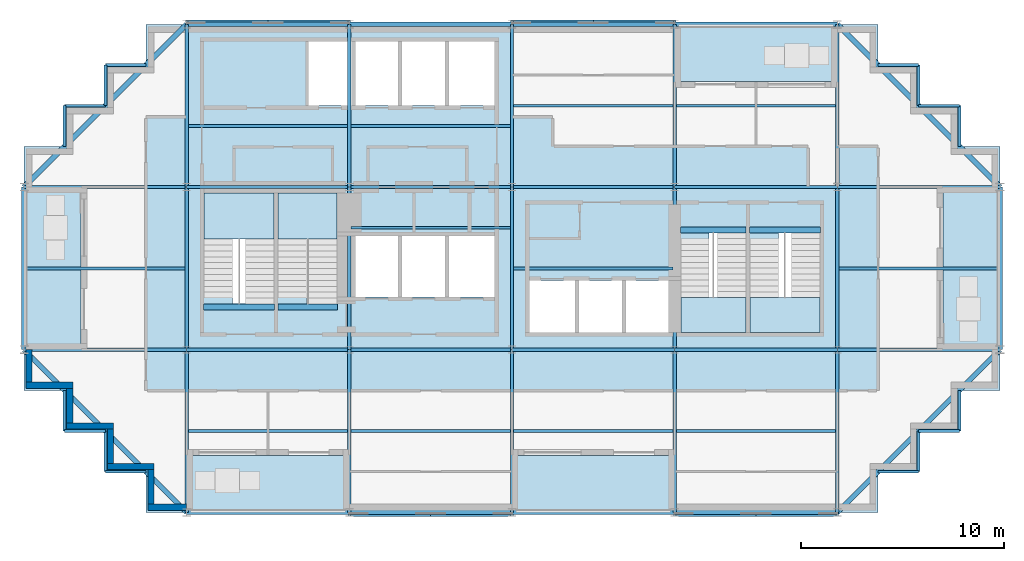
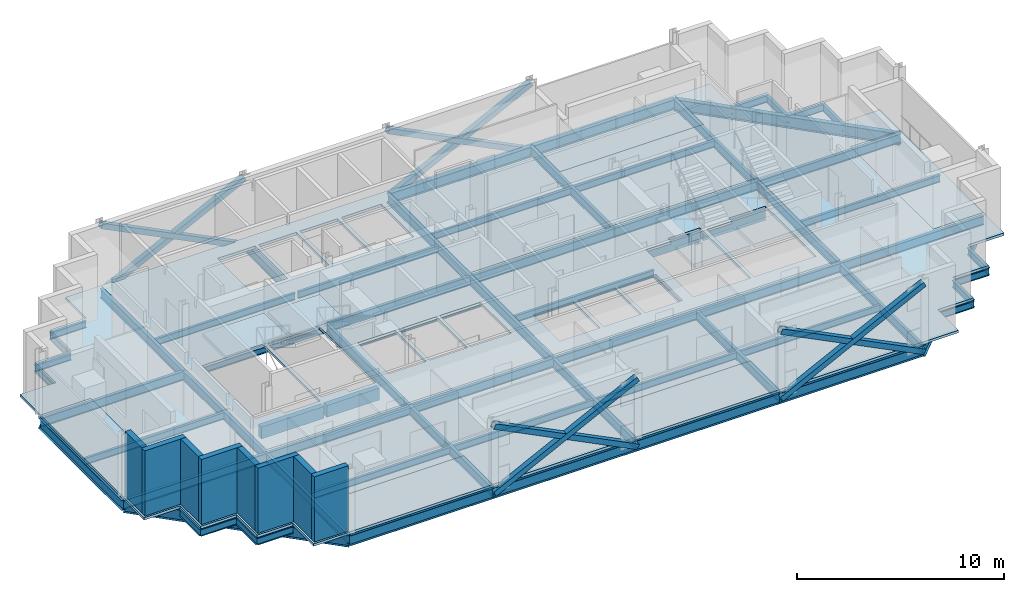
# One storey, part 3 of 10: 73 beams, 12 slabs, 8 members, 8 walls, 4 elements without a shape of their own.
"""IFC4 building model written with IfcOpenShell, lengths in metres."""

from ifc_helpers import new_model, si_unit, direction, frame, frame_2d, origin, origin_2d, place, context, subcontext, project, spatial, polyline, rectangle, hollow_rectangle, i_section, outline, extrude, material, layer, layer_set, material_profile, profile_set, type_object, element, aggregate, save


model = new_model("IFC4")

# Units and contexts
model_context = context("Model", 3, precision=1e-05, world=origin(), true_north=direction((0.0, 1.0)))
body_context = subcontext(model_context, "Body", "Model", "MODEL_VIEW")
ifc_project = project(units=[si_unit("LENGTHUNIT", "METRE"), si_unit("AREAUNIT", "SQUARE_METRE"), si_unit("VOLUMEUNIT", "CUBIC_METRE"), si_unit("PLANEANGLEUNIT", "RADIAN"), si_unit("MASSUNIT", "GRAM", prefix="KILO")], contexts=[model_context])

# Site, building, storey
site_placement = place(None, origin())
site = spatial("IfcSite", under=ifc_project, at=site_placement, CompositionType="ELEMENT")
building_placement = place(site_placement, origin())
building = spatial("IfcBuilding", under=site, at=building_placement, Name="Immortelle Media Tower", CompositionType="ELEMENT")
storey_placement = place(building_placement, frame((0.0, 0.0, 259.0)))
storey = spatial("IfcBuildingStorey", under=building, at=storey_placement, Name="L56", CompositionType="ELEMENT", Elevation=259.0)

# Members
ifc_material_1 = material(Name="Steel ASTM A500 Gr C", Category="steel")
ifc_material_profile_1 = material_profile(ifc_material_1, hollow_rectangle(XDim=0.304931640625, YDim=0.304931640625, WallThickness=0.011962890625, at=origin_2d()), Name="HSS12x12x1/2 brace")
ifc_profile_set_1 = profile_set([ifc_material_profile_1], Name="Steel ASTM A500 Gr C")
member_type = type_object("IfcMemberType", Name="HSS12x12x1/2 brace", PredefinedType="BRACE", material=ifc_profile_set_1)
for number, where, z_axis, x_axis, name in (
    (1, (16.0, -0.0625, -0.4560546875), (0.894427191, 0.0, 0.4472135955), (0.0, 1.0, 0.0), "Brace A/3-4 A"),
    (2, (16.0, -0.0625, 3.5439453125), (0.894427191, 0.0, -0.4472135955), (0.0, 1.0, 0.0), "Brace A/3-4 B"),
    (3, (32.0, -0.0625, -0.4560546875), (0.894427191, 0.0, 0.4472135955), (0.0, 1.0, 0.0), "Brace A/5-6 A"),
    (4, (32.0, -0.0625, 3.5439453125), (0.894427191, 0.0, -0.4472135955), (0.0, 1.0, 0.0), "Brace A/5-6 B"),
    (5, (32.0, 24.0625, -0.4560546875), (-0.894427191, 0.0, 0.4472135955), (0.0, -1.0, 0.0), "Brace D/4-5 A"),
    (6, (32.0, 24.0625, 3.5439453125), (-0.894427191, 0.0, -0.4472135955), (0.0, -1.0, 0.0), "Brace D/4-5 B"),
    (7, (16.0, 24.0625, -0.4560546875), (-0.894427191, 0.0, 0.4472135955), (0.0, -1.0, 0.0), "Brace D/2-3 A"),
    (8, (16.0, 24.0625, 3.5439453125), (-0.894427191, 0.0, -0.4472135955), (0.0, -1.0, 0.0), "Brace D/2-3 B"),
):
    element("IfcMember", number, at=place(storey_placement, frame(where, z_axis=z_axis, x_axis=x_axis)), inside=storey, type_object=member_type, Name=name, PredefinedType="BRACE", context=body_context, shape_type="SweptSolid", body=[
        extrude(hollow_rectangle(XDim=0.304931640625, YDim=0.304931640625, WallThickness=0.011962890625, at=origin_2d()), origin(), (0.0, 0.0, 1.0), 8.9443359375),
    ])

# Beams
ifc_material_2 = material(Name="Concrete C50/60", Category="concrete")
ifc_material_profile_2 = material_profile(ifc_material_2, rectangle(XDim=0.300048828125, YDim=0.699951171875, at=origin_2d()), Name="RC 300x700")
ifc_profile_set_2 = profile_set([ifc_material_profile_2], Name="Concrete C50/60")
beam_type_1 = type_object("IfcBeamType", Name="Stair trimmer beam 300 x 700", PredefinedType="BEAM", material=ifc_profile_set_2)
beam_1_placement = place(storey_placement, frame((8.830078125, 10.10498046875, -0.5), z_axis=(1.0, 0.0, 0.0), x_axis=(0.0, 1.0, 0.0)))
element("IfcBeam", 9, at=beam_1_placement, inside=storey, type_object=beam_type_1, Name="Stair trimmer beam SW1", PredefinedType="BEAM", context=body_context, shape_type="SweptSolid", body=[
    extrude(rectangle(XDim=0.300048828125, YDim=0.699951171875, at=origin_2d()), origin(), (0.0, 0.0, 1.0), 3.489990234375),
])
beam_2_placement = place(storey_placement, frame((12.47998046875, 10.10498046875, -0.5), z_axis=(1.0, 0.0, 0.0), x_axis=(0.0, 1.0, 0.0)))
element("IfcBeam", 10, at=beam_2_placement, inside=storey, type_object=beam_type_1, Name="Stair trimmer beam SW2", PredefinedType="BEAM", context=body_context, shape_type="SweptSolid", body=[
    extrude(rectangle(XDim=0.300048828125, YDim=0.699951171875, at=origin_2d()), origin(), (0.0, 0.0, 1.0), 2.93994140625),
])
beam_3_placement = place(storey_placement, frame((32.280029296875, 13.89501953125, -0.5), z_axis=(1.0, 0.0, 0.0), x_axis=(0.0, 1.0, 0.0)))
element("IfcBeam", 11, at=beam_3_placement, inside=storey, type_object=beam_type_1, Name="Stair trimmer beam SE1", PredefinedType="BEAM", context=body_context, shape_type="SweptSolid", body=[
    extrude(rectangle(XDim=0.300048828125, YDim=0.699951171875, at=origin_2d()), origin(), (0.0, 0.0, 1.0), 3.239990234375),
])
beam_4_placement = place(storey_placement, frame((35.679931640625, 13.89501953125, -0.5), z_axis=(1.0, 0.0, 0.0), x_axis=(0.0, 1.0, 0.0)))
element("IfcBeam", 12, at=beam_4_placement, inside=storey, type_object=beam_type_1, Name="Stair trimmer beam SE2", PredefinedType="BEAM", context=body_context, shape_type="SweptSolid", body=[
    extrude(rectangle(XDim=0.300048828125, YDim=0.699951171875, at=origin_2d()), origin(), (0.0, 0.0, 1.0), 3.489990234375),
])
ifc_material_3 = material(Name="Steel ASTM A992 Gr 50", Category="steel")
ifc_material_profile_3 = material_profile(ifc_material_3, i_section(OverallWidth=0.139892578125, OverallDepth=0.404052734375, WebThickness=0.007080078125, FlangeThickness=0.010986328125, at=origin_2d()), Name="W16x31")
ifc_profile_set_3 = profile_set([ifc_material_profile_3], Name="Steel ASTM A992 Gr 50")
beam_type_2 = type_object("IfcBeamType", Name="W16x31 secondary beam", PredefinedType="JOIST", material=ifc_profile_set_3)
for number, where, z_axis, x_axis, name in (
    (13, (8.08349609375, 4.0, -0.35205078125), (1.0, 0.0, 0.0), (0.0, 1.0, 0.0), "Beam A-B/2-3"),
    (14, (16.08349609375, 4.0, -0.35205078125), (1.0, 0.0, 0.0), (0.0, 1.0, 0.0), "Beam A-B/3-4"),
    (15, (24.08349609375, 4.0, -0.35205078125), (1.0, 0.0, 0.0), (0.0, 1.0, 0.0), "Beam A-B/4-5"),
    (16, (32.08349609375, 4.0, -0.35205078125), (1.0, 0.0, 0.0), (0.0, 1.0, 0.0), "Beam A-B/5-6"),
):
    element("IfcBeam", number, at=place(storey_placement, frame(where, z_axis=z_axis, x_axis=x_axis)), inside=storey, type_object=beam_type_2, Name=name, PredefinedType="JOIST", context=body_context, shape_type="SweptSolid", body=[
        extrude(i_section(OverallWidth=0.139892578125, OverallDepth=0.404052734375, WebThickness=0.007080078125, FlangeThickness=0.010986328125, at=origin_2d()), origin(), (0.0, 0.0, 1.0), 7.8330078125),
    ])
beam_5_placement = place(storey_placement, frame((0.114501953125, 12.0, -0.35205078125), z_axis=(1.0, 0.0, 0.0), x_axis=(0.0, 1.0, 0.0)))
element("IfcBeam", 17, at=beam_5_placement, inside=storey, type_object=beam_type_2, Name="Beam B-C/1-2", PredefinedType="JOIST", context=body_context, shape_type="SweptSolid", body=[
    extrude(i_section(OverallWidth=0.139892578125, OverallDepth=0.404052734375, WebThickness=0.007080078125, FlangeThickness=0.010986328125, at=origin_2d()), origin(), (0.0, 0.0, 1.0), 7.802001953125),
])
for number, where, z_axis, x_axis, name in (
    (18, (16.08349609375, 14.0, -0.35205078125), (1.0, 0.0, 0.0), (0.0, 1.0, 0.0), "Beam B-C/3-4"),
    (19, (24.08349609375, 12.0, -0.35205078125), (1.0, 0.0, 0.0), (0.0, 1.0, 0.0), "Beam B-C/4-5"),
):
    element("IfcBeam", number, at=place(storey_placement, frame(where, z_axis=z_axis, x_axis=x_axis)), inside=storey, type_object=beam_type_2, Name=name, PredefinedType="JOIST", context=body_context, shape_type="SweptSolid", body=[
        extrude(i_section(OverallWidth=0.139892578125, OverallDepth=0.404052734375, WebThickness=0.007080078125, FlangeThickness=0.010986328125, at=origin_2d()), origin(), (0.0, 0.0, 1.0), 7.8330078125),
    ])
beam_6_placement = place(storey_placement, frame((40.08349609375, 12.0, -0.35205078125), z_axis=(1.0, 0.0, 0.0), x_axis=(0.0, 1.0, 0.0)))
element("IfcBeam", 20, at=beam_6_placement, inside=storey, type_object=beam_type_2, Name="Beam B-C/6-7", PredefinedType="JOIST", context=body_context, shape_type="SweptSolid", body=[
    extrude(i_section(OverallWidth=0.139892578125, OverallDepth=0.404052734375, WebThickness=0.007080078125, FlangeThickness=0.010986328125, at=origin_2d()), origin(), (0.0, 0.0, 1.0), 7.802001953125),
])
for number, where, z_axis, x_axis, name in (
    (21, (8.08349609375, 19.0, -0.35205078125), (1.0, 0.0, 0.0), (0.0, 1.0, 0.0), "Beam C-D/2-3"),
    (22, (16.08349609375, 19.0, -0.35205078125), (1.0, 0.0, 0.0), (0.0, 1.0, 0.0), "Beam C-D/3-4"),
    (23, (24.08349609375, 20.0, -0.35205078125), (1.0, 0.0, 0.0), (0.0, 1.0, 0.0), "Beam C-D/4-5"),
    (24, (32.08349609375, 20.0, -0.35205078125), (1.0, 0.0, 0.0), (0.0, 1.0, 0.0), "Beam C-D/5-6"),
):
    element("IfcBeam", number, at=place(storey_placement, frame(where, z_axis=z_axis, x_axis=x_axis)), inside=storey, type_object=beam_type_2, Name=name, PredefinedType="JOIST", context=body_context, shape_type="SweptSolid", body=[
        extrude(i_section(OverallWidth=0.139892578125, OverallDepth=0.404052734375, WebThickness=0.007080078125, FlangeThickness=0.010986328125, at=origin_2d()), origin(), (0.0, 0.0, 1.0), 7.8330078125),
    ])
ifc_material_profile_4 = material_profile(ifc_material_3, i_section(OverallWidth=0.139892578125, OverallDepth=0.404052734375, WebThickness=0.007080078125, FlangeThickness=0.010986328125, at=origin_2d()), Name="W16x31")
ifc_profile_set_4 = profile_set([ifc_material_profile_4], Name="Steel ASTM A992 Gr 50")
beam_type_3 = type_object("IfcBeamType", Name="W16x31 serration edge beam", PredefinedType="SPANDREL", material=ifc_profile_set_4)
for number, where, z_axis, x_axis, name in (
    (25, (6.0, 2.0, -0.35205078125), (-1.0, 0.0, 0.0), (0.0, -1.0, 0.0), "Corner edge beam 1 at 1/A"),
    (26, (4.0, 2.0, -0.35205078125), (0.0, 1.0, 0.0), (-1.0, 0.0, 0.0), "Corner edge beam 2 at 1/A"),
    (27, (4.0, 4.0, -0.35205078125), (-1.0, 0.0, 0.0), (0.0, -1.0, 0.0), "Corner edge beam 3 at 1/A"),
    (28, (2.0, 4.0, -0.35205078125), (0.0, 1.0, 0.0), (-1.0, 0.0, 0.0), "Corner edge beam 4 at 1/A"),
    (29, (2.0, 18.0, -0.35205078125), (0.0, 1.0, 0.0), (-1.0, 0.0, 0.0), "Corner edge beam 1 at 1/D"),
    (30, (2.0, 20.0, -0.35205078125), (1.0, 0.0, 0.0), (0.0, 1.0, 0.0), "Corner edge beam 2 at 1/D"),
    (31, (4.0, 20.0, -0.35205078125), (0.0, 1.0, 0.0), (-1.0, 0.0, 0.0), "Corner edge beam 3 at 1/D"),
    (32, (4.0, 22.0, -0.35205078125), (1.0, 0.0, 0.0), (0.0, 1.0, 0.0), "Corner edge beam 4 at 1/D"),
    (33, (46.0, 6.0, -0.35205078125), (0.0, -1.0, 0.0), (1.0, 0.0, 0.0), "Corner edge beam 1 at 7/A"),
    (34, (46.0, 4.0, -0.35205078125), (-1.0, 0.0, 0.0), (0.0, -1.0, 0.0), "Corner edge beam 2 at 7/A"),
    (35, (44.0, 4.0, -0.35205078125), (0.0, -1.0, 0.0), (1.0, 0.0, 0.0), "Corner edge beam 3 at 7/A"),
    (36, (44.0, 2.0, -0.35205078125), (-1.0, 0.0, 0.0), (0.0, -1.0, 0.0), "Corner edge beam 4 at 7/A"),
    (37, (42.0, 22.0, -0.35205078125), (1.0, 0.0, 0.0), (0.0, 1.0, 0.0), "Corner edge beam 1 at 7/D"),
    (38, (44.0, 22.0, -0.35205078125), (0.0, -1.0, 0.0), (1.0, 0.0, 0.0), "Corner edge beam 2 at 7/D"),
    (39, (44.0, 20.0, -0.35205078125), (1.0, 0.0, 0.0), (0.0, 1.0, 0.0), "Corner edge beam 3 at 7/D"),
    (40, (46.0, 20.0, -0.35205078125), (0.0, -1.0, 0.0), (1.0, 0.0, 0.0), "Corner edge beam 4 at 7/D"),
):
    element("IfcBeam", number, at=place(storey_placement, frame(where, z_axis=z_axis, x_axis=x_axis)), inside=storey, type_object=beam_type_3, Name=name, PredefinedType="SPANDREL", context=body_context, shape_type="SweptSolid", body=[
        extrude(i_section(OverallWidth=0.139892578125, OverallDepth=0.404052734375, WebThickness=0.007080078125, FlangeThickness=0.010986328125, at=origin_2d()), origin(), (0.0, 0.0, 1.0), 2.0),
    ])
ifc_material_profile_5 = material_profile(ifc_material_3, i_section(OverallWidth=0.1669921875, OverallDepth=0.535888671875, WebThickness=0.010009765625, FlangeThickness=0.01708984375, at=origin_2d()), Name="W21x57")
ifc_profile_set_5 = profile_set([ifc_material_profile_5], Name="Steel ASTM A992 Gr 50")
beam_type_4 = type_object("IfcBeamType", Name="W21x57 girder", PredefinedType="BEAM", material=ifc_profile_set_5)
for number, where, z_axis, x_axis, name in (
    (41, (0.0, 8.0, -0.41796875), (1.0, 0.0, 0.0), (0.0, 1.0, 0.0), "Girder B/1-2"),
    (42, (0.0, 16.0, -0.41796875), (1.0, 0.0, 0.0), (0.0, 1.0, 0.0), "Girder C/1-2"),
    (43, (8.0, 0.0, -0.41796875), (0.0, 1.0, 0.0), (-1.0, 0.0, 0.0), "Girder 2/A-B"),
    (44, (8.0, 8.0, -0.41796875), (1.0, 0.0, 0.0), (0.0, 1.0, 0.0), "Girder B/2-3"),
    (45, (8.0, 8.0, -0.41796875), (0.0, 1.0, 0.0), (-1.0, 0.0, 0.0), "Girder 2/B-C"),
    (46, (8.0, 16.0, -0.41796875), (1.0, 0.0, 0.0), (0.0, 1.0, 0.0), "Girder C/2-3"),
    (47, (8.0, 16.0, -0.41796875), (0.0, 1.0, 0.0), (-1.0, 0.0, 0.0), "Girder 2/C-D"),
    (48, (16.0, 0.0, -0.41796875), (0.0, 1.0, 0.0), (-1.0, 0.0, 0.0), "Girder 3/A-B"),
    (49, (16.0, 8.0, -0.41796875), (1.0, 0.0, 0.0), (0.0, 1.0, 0.0), "Girder B/3-4"),
    (50, (16.0, 8.0, -0.41796875), (0.0, 1.0, 0.0), (-1.0, 0.0, 0.0), "Girder 3/B-C"),
    (51, (16.0, 16.0, -0.41796875), (1.0, 0.0, 0.0), (0.0, 1.0, 0.0), "Girder C/3-4"),
    (52, (16.0, 16.0, -0.41796875), (0.0, 1.0, 0.0), (-1.0, 0.0, 0.0), "Girder 3/C-D"),
    (53, (24.0, 0.0, -0.41796875), (0.0, 1.0, 0.0), (-1.0, 0.0, 0.0), "Girder 4/A-B"),
    (54, (24.0, 8.0, -0.41796875), (1.0, 0.0, 0.0), (0.0, 1.0, 0.0), "Girder B/4-5"),
    (55, (24.0, 8.0, -0.41796875), (0.0, 1.0, 0.0), (-1.0, 0.0, 0.0), "Girder 4/B-C"),
    (56, (24.0, 16.0, -0.41796875), (1.0, 0.0, 0.0), (0.0, 1.0, 0.0), "Girder C/4-5"),
    (57, (24.0, 16.0, -0.41796875), (0.0, 1.0, 0.0), (-1.0, 0.0, 0.0), "Girder 4/C-D"),
    (58, (32.0, 0.0, -0.41796875), (0.0, 1.0, 0.0), (-1.0, 0.0, 0.0), "Girder 5/A-B"),
    (59, (32.0, 8.0, -0.41796875), (1.0, 0.0, 0.0), (0.0, 1.0, 0.0), "Girder B/5-6"),
    (60, (32.0, 8.0, -0.41796875), (0.0, 1.0, 0.0), (-1.0, 0.0, 0.0), "Girder 5/B-C"),
    (61, (32.0, 16.0, -0.41796875), (1.0, 0.0, 0.0), (0.0, 1.0, 0.0), "Girder C/5-6"),
    (62, (32.0, 16.0, -0.41796875), (0.0, 1.0, 0.0), (-1.0, 0.0, 0.0), "Girder 5/C-D"),
    (63, (40.0, 0.0, -0.41796875), (0.0, 1.0, 0.0), (-1.0, 0.0, 0.0), "Girder 6/A-B"),
    (64, (40.0, 8.0, -0.41796875), (1.0, 0.0, 0.0), (0.0, 1.0, 0.0), "Girder B/6-7"),
    (65, (40.0, 8.0, -0.41796875), (0.0, 1.0, 0.0), (-1.0, 0.0, 0.0), "Girder 6/B-C"),
    (66, (40.0, 16.0, -0.41796875), (1.0, 0.0, 0.0), (0.0, 1.0, 0.0), "Girder C/6-7"),
    (67, (40.0, 16.0, -0.41796875), (0.0, 1.0, 0.0), (-1.0, 0.0, 0.0), "Girder 6/C-D"),
):
    element("IfcBeam", number, at=place(storey_placement, frame(where, z_axis=z_axis, x_axis=x_axis)), inside=storey, type_object=beam_type_4, Name=name, PredefinedType="BEAM", context=body_context, shape_type="SweptSolid", body=[
        extrude(i_section(OverallWidth=0.1669921875, OverallDepth=0.535888671875, WebThickness=0.010009765625, FlangeThickness=0.01708984375, at=origin_2d()), origin(), (0.0, 0.0, 1.0), 8.0),
    ])
ifc_material_profile_6 = material_profile(ifc_material_3, i_section(OverallWidth=0.22900390625, OverallDepth=0.612060546875, WebThickness=0.011962890625, FlangeThickness=0.02001953125, at=origin_2d()), Name="W24x84")
ifc_profile_set_6 = profile_set([ifc_material_profile_6], Name="Steel ASTM A992 Gr 50")
beam_type_5 = type_object("IfcBeamType", Name="W24x84 perimeter girder", PredefinedType="SPANDREL", material=ifc_profile_set_6)
for number, where, z_axis, x_axis, name in (
    (68, (0.0, 8.0, -0.4560546875), (0.0, 1.0, 0.0), (-1.0, 0.0, 0.0), "Girder 1/B-C"),
    (69, (8.0, 0.0, -0.4560546875), (1.0, 0.0, 0.0), (0.0, 1.0, 0.0), "Girder A/2-3"),
    (70, (8.0, 24.0, -0.4560546875), (1.0, 0.0, 0.0), (0.0, 1.0, 0.0), "Girder D/2-3"),
    (71, (16.0, 0.0, -0.4560546875), (1.0, 0.0, 0.0), (0.0, 1.0, 0.0), "Girder A/3-4"),
    (72, (16.0, 24.0, -0.4560546875), (1.0, 0.0, 0.0), (0.0, 1.0, 0.0), "Girder D/3-4"),
    (73, (24.0, 0.0, -0.4560546875), (1.0, 0.0, 0.0), (0.0, 1.0, 0.0), "Girder A/4-5"),
    (74, (24.0, 24.0, -0.4560546875), (1.0, 0.0, 0.0), (0.0, 1.0, 0.0), "Girder D/4-5"),
    (75, (32.0, 0.0, -0.4560546875), (1.0, 0.0, 0.0), (0.0, 1.0, 0.0), "Girder A/5-6"),
    (76, (32.0, 24.0, -0.4560546875), (1.0, 0.0, 0.0), (0.0, 1.0, 0.0), "Girder D/5-6"),
    (77, (48.0, 8.0, -0.4560546875), (0.0, 1.0, 0.0), (-1.0, 0.0, 0.0), "Girder 7/B-C"),
):
    element("IfcBeam", number, at=place(storey_placement, frame(where, z_axis=z_axis, x_axis=x_axis)), inside=storey, type_object=beam_type_5, Name=name, PredefinedType="SPANDREL", context=body_context, shape_type="SweptSolid", body=[
        extrude(i_section(OverallWidth=0.22900390625, OverallDepth=0.612060546875, WebThickness=0.011962890625, FlangeThickness=0.02001953125, at=origin_2d()), origin(), (0.0, 0.0, 1.0), 8.0),
    ])
ifc_material_profile_7 = material_profile(ifc_material_3, i_section(OverallWidth=0.2529296875, OverallDepth=0.677978515625, WebThickness=0.011962890625, FlangeThickness=0.01611328125, at=origin_2d()), Name="W27x84")
ifc_profile_set_7 = profile_set([ifc_material_profile_7], Name="Steel ASTM A992 Gr 50")
beam_type_6 = type_object("IfcBeamType", Name="W27x84 corner girder", PredefinedType="SPANDREL", material=ifc_profile_set_7)
for number, where, z_axis, x_axis, name in (
    (78, (8.0, 0.0, -0.489013671875), (-0.707106781187, 0.707106781187, 0.0), (-0.707106781187, -0.707106781187, 0.0), "Corner girder at 1/A"),
    (79, (0.0, 16.0, -0.489013671875), (0.707106781187, 0.707106781187, 0.0), (-0.707106781187, 0.707106781187, 0.0), "Corner girder at 1/D"),
    (80, (48.0, 8.0, -0.489013671875), (-0.707106781187, -0.707106781187, 0.0), (0.707106781187, -0.707106781187, 0.0), "Corner girder at 7/A"),
    (81, (40.0, 24.0, -0.489013671875), (0.707106781187, -0.707106781187, 0.0), (0.707106781187, 0.707106781187, 0.0), "Corner girder at 7/D"),
):
    element("IfcBeam", number, at=place(storey_placement, frame(where, z_axis=z_axis, x_axis=x_axis)), inside=storey, type_object=beam_type_6, Name=name, PredefinedType="SPANDREL", context=body_context, shape_type="SweptSolid", body=[
        extrude(i_section(OverallWidth=0.2529296875, OverallDepth=0.677978515625, WebThickness=0.011962890625, FlangeThickness=0.01611328125, at=origin_2d()), origin(), (0.0, 0.0, 1.0), 11.313720703125),
    ])

# Slabs
ifc_material_4 = material(Name="Concrete C50/60 composite deck", Category="concrete")
ifc_layer_1 = layer(ifc_material_4, 0.14990234375)
ifc_layer_set_1 = layer_set([ifc_layer_1], Name="Concrete C50/60 composite deck")
slab_type_1 = type_object("IfcSlabType", Name="Balcony slab 150", PredefinedType="FLOOR", material=ifc_layer_set_1)
slab_1_placement = place(storey_placement, frame((0.0, 0.0, -0.14990234375)))
element("IfcSlab", 82, at=slab_1_placement, inside=storey, type_object=slab_type_1, Name="Balcony slab L56 S0", PredefinedType="FLOOR", context=body_context, shape_type="SweptSolid", body=[
    extrude(outline(polyline([(16.0, 0.0), (16.0, 2.800048828125), (8.0, 2.800048828125), (8.0, 0.0), (16.0, 0.0)])), origin(), (0.0, 0.0, 1.0), 0.14990234375),
])
slab_2_placement = place(storey_placement, frame((0.0, 0.0, -0.14990234375)))
element("IfcSlab", 83, at=slab_2_placement, inside=storey, type_object=slab_type_1, Name="Balcony slab L56 S2", PredefinedType="FLOOR", context=body_context, shape_type="SweptSolid", body=[
    extrude(outline(polyline([(32.0, 0.0), (32.0, 2.800048828125), (24.0, 2.800048828125), (24.0, 0.0), (32.0, 0.0)])), origin(), (0.0, 0.0, 1.0), 0.14990234375),
])
slab_3_placement = place(storey_placement, frame((0.0, 0.0, -0.14990234375)))
element("IfcSlab", 84, at=slab_3_placement, inside=storey, type_object=slab_type_1, Name="Balcony slab L56 E0", PredefinedType="FLOOR", context=body_context, shape_type="SweptSolid", body=[
    extrude(outline(polyline([(48.0, 8.0), (48.0, 16.0), (45.199951171875, 16.0), (45.199951171875, 8.0), (48.0, 8.0)])), origin(), (0.0, 0.0, 1.0), 0.14990234375),
])
slab_4_placement = place(storey_placement, frame((0.0, 0.0, -0.14990234375)))
element("IfcSlab", 85, at=slab_4_placement, inside=storey, type_object=slab_type_1, Name="Balcony slab L56 N0", PredefinedType="FLOOR", context=body_context, shape_type="SweptSolid", body=[
    extrude(outline(polyline([(40.0, 21.199951171875), (40.0, 24.0), (32.0, 24.0), (32.0, 21.199951171875), (40.0, 21.199951171875)])), origin(), (0.0, 0.0, 1.0), 0.14990234375),
])
slab_5_placement = place(storey_placement, frame((0.0, 0.0, -0.14990234375)))
element("IfcSlab", 86, at=slab_5_placement, inside=storey, type_object=slab_type_1, Name="Balcony slab L56 W0", PredefinedType="FLOOR", context=body_context, shape_type="SweptSolid", body=[
    extrude(outline(polyline([(2.800048828125, 8.0), (2.800048828125, 16.0), (0.0, 16.0), (0.0, 8.0), (2.800048828125, 8.0)])), origin(), (0.0, 0.0, 1.0), 0.14990234375),
])
ifc_layer_2 = layer(ifc_material_2, 0.14990234375)
ifc_layer_set_2 = layer_set([ifc_layer_2], Name="Concrete C50/60")
slab_type_2 = type_object("IfcSlabType", Name="Composite floor slab 150", PredefinedType="FLOOR", material=ifc_layer_set_2)
slab_6_placement = place(storey_placement, frame((0.0, 0.0, -0.14990234375)))
element("IfcSlab", 87, at=slab_6_placement, inside=storey, type_object=slab_type_2, Name="Floor slab L56", PredefinedType="FLOOR", context=body_context, shape_type="SweptSolid", body=[
    extrude(outline(polyline([(6.0, 0.0), (6.0, 2.0), (4.0, 2.0), (4.0, 4.0), (2.0, 4.0), (2.0, 6.0), (0.0, 6.0), (0.0, 8.0), (2.800048828125, 8.0), (2.800048828125, 16.0), (0.0, 16.0), (0.0, 18.0), (2.0, 18.0), (2.0, 20.0), (4.0, 20.0), (4.0, 22.0), (6.0, 22.0), (6.0, 24.0), (8.0, 24.0), (8.0, 8.0), (24.0, 8.0), (40.0, 8.0), (40.0, 16.0), (24.0, 16.0), (24.0, 21.199951171875), (24.0, 24.0), (32.0, 24.0), (32.0, 21.199951171875), (40.0, 21.199951171875), (40.0, 24.0), (42.0, 24.0), (42.0, 22.0), (44.0, 22.0), (44.0, 20.0), (46.0, 20.0), (46.0, 18.0), (48.0, 18.0), (48.0, 16.0), (45.199951171875, 16.0), (45.199951171875, 8.0), (48.0, 8.0), (48.0, 6.0), (46.0, 6.0), (46.0, 4.0), (44.0, 4.0), (44.0, 2.0), (42.0, 2.0), (42.0, 0.0), (32.0, 0.0), (32.0, 2.800048828125), (24.0, 2.800048828125), (24.0, 0.0), (16.0, 0.0), (16.0, 2.800048828125), (8.0, 2.800048828125), (8.0, 0.0), (6.0, 0.0)])), origin(), (0.0, 0.0, 1.0), 0.14990234375),
])
ifc_layer_3 = layer(ifc_material_2, 0.14990234375)
ifc_layer_set_3 = layer_set([ifc_layer_3], Name="Concrete C50/60")
slab_type_3 = type_object("IfcSlabType", Name="Core floor slab 150", PredefinedType="FLOOR", material=ifc_layer_set_3)
slab_7_placement = place(storey_placement, frame((0.0, 0.0, -0.14990234375)))
element("IfcSlab", 88, at=slab_7_placement, inside=storey, type_object=slab_type_3, Name="Core floor SW", PredefinedType="FLOOR", context=body_context, shape_type="SweptSolid", body=[
    extrude(outline(polyline([(8.0, 8.0), (24.0, 8.0), (24.0, 24.0), (8.0, 24.0), (8.0, 8.0)]), holes=[polyline([(14.0, 20.0), (16.10009765625, 20.0), (16.10009765625, 23.14990234375), (14.0, 23.14990234375), (14.0, 20.0)]), polyline([(16.300048828125, 20.0), (18.39990234375, 20.0), (18.39990234375, 23.14990234375), (16.300048828125, 23.14990234375), (16.300048828125, 20.0)]), polyline([(18.60009765625, 20.0), (20.699951171875, 20.0), (20.699951171875, 23.14990234375), (18.60009765625, 23.14990234375), (18.60009765625, 20.0)]), polyline([(20.89990234375, 20.0), (23.14990234375, 20.0), (23.14990234375, 23.14990234375), (20.89990234375, 23.14990234375), (20.89990234375, 20.0)]), polyline([(16.300048828125, 10.60009765625), (18.39990234375, 10.60009765625), (18.39990234375, 13.60009765625), (16.300048828125, 13.60009765625), (16.300048828125, 10.60009765625)]), polyline([(18.60009765625, 10.60009765625), (20.699951171875, 10.60009765625), (20.699951171875, 13.60009765625), (18.60009765625, 13.60009765625), (18.60009765625, 10.60009765625)]), polyline([(20.89990234375, 10.60009765625), (23.14990234375, 10.60009765625), (23.14990234375, 13.60009765625), (20.89990234375, 13.60009765625), (20.89990234375, 10.60009765625)]), polyline([(8.85009765625, 15.699951171875), (12.300048828125, 15.699951171875), (12.300048828125, 10.27001953125), (10.25, 10.27001953125), (10.25, 10.56005859375), (8.85009765625, 10.56005859375), (8.85009765625, 15.699951171875)]), polyline([(12.5, 15.699951171875), (15.39990234375, 15.699951171875), (15.39990234375, 10.27001953125), (13.89990234375, 10.27001953125), (13.89990234375, 10.56005859375), (12.5, 10.56005859375), (12.5, 15.699951171875)])]), origin(), (0.0, 0.0, 1.0), 0.14990234375),
])
slab_8_placement = place(storey_placement, frame((0.0, 0.0, -0.14990234375)))
element("IfcSlab", 89, at=slab_8_placement, inside=storey, type_object=slab_type_3, Name="Core floor SE", PredefinedType="FLOOR", context=body_context, shape_type="SweptSolid", body=[
    extrude(outline(polyline([(24.0, 8.0), (40.0, 8.0), (40.0, 16.0), (24.0, 16.0), (24.0, 8.0)]), holes=[polyline([(24.85009765625, 8.85009765625), (27.10009765625, 8.85009765625), (27.10009765625, 11.39990234375), (24.85009765625, 11.39990234375), (24.85009765625, 8.85009765625)]), polyline([(27.300048828125, 8.85009765625), (29.39990234375, 8.85009765625), (29.39990234375, 11.39990234375), (27.300048828125, 11.39990234375), (27.300048828125, 8.85009765625)]), polyline([(29.60009765625, 8.85009765625), (31.699951171875, 8.85009765625), (31.699951171875, 11.39990234375), (29.60009765625, 11.39990234375), (29.60009765625, 8.85009765625)]), polyline([(35.5, 13.72998046875), (35.5, 8.85009765625), (32.300048828125, 8.85009765625), (32.300048828125, 13.43994140625), (33.699951171875, 13.43994140625), (33.699951171875, 13.72998046875), (35.5, 13.72998046875)]), polyline([(39.14990234375, 13.72998046875), (39.14990234375, 8.85009765625), (35.699951171875, 8.85009765625), (35.699951171875, 13.43994140625), (37.10009765625, 13.43994140625), (37.10009765625, 13.72998046875), (39.14990234375, 13.72998046875)])]), origin(), (0.0, 0.0, 1.0), 0.14990234375),
])

# Stair, slab
stair_type = type_object("IfcStairType", Name="Stair with flights", PredefinedType="DOUBLE_RETURN_STAIR", material=ifc_material_3)
stair_1_placement = place(storey_placement, origin())
stair_1 = element("IfcStair", 90, at=stair_1_placement, inside=storey, type_object=stair_type, Name="Exit stair SW1", PredefinedType="DOUBLE_RETURN_STAIR")
ifc_material_5 = material(Name="Steel ASTM A572 Gr 50", Category="steel")
ifc_layer_4 = layer(ifc_material_5, 0.199951171875)
ifc_layer_set_4 = layer_set([ifc_layer_4], Name="Steel ASTM A572 Gr 50")
slab_type_4 = type_object("IfcSlabType", Name="Stair landing 200", PredefinedType="LANDING", material=ifc_layer_set_4)
slab_9_placement = place(storey_placement, frame((0.0, 0.0, 1.713134765625)))
slab_9 = element("IfcSlab", 91, at=slab_9_placement, type_object=slab_type_4, Name="ST SW1 landing 1", PredefinedType="LANDING", context=body_context, shape_type="SweptSolid", body=[
    extrude(outline(polyline([(8.85009765625, 13.43994140625), (12.300048828125, 13.43994140625), (12.300048828125, 15.699951171875), (8.85009765625, 15.699951171875), (8.85009765625, 13.43994140625)])), origin(), (0.0, 0.0, 1.0), 0.199951171875),
])
aggregate(stair_1, [slab_9])

stair_2_placement = place(storey_placement, origin())
stair_2 = element("IfcStair", 92, at=stair_2_placement, inside=storey, type_object=stair_type, Name="Exit stair SW2", PredefinedType="DOUBLE_RETURN_STAIR")
slab_10_placement = place(storey_placement, frame((0.0, 0.0, 1.713134765625)))
slab_10 = element("IfcSlab", 93, at=slab_10_placement, type_object=slab_type_4, Name="ST SW2 landing 1", PredefinedType="LANDING", context=body_context, shape_type="SweptSolid", body=[
    extrude(outline(polyline([(12.5, 13.43994140625), (15.39990234375, 13.43994140625), (15.39990234375, 15.699951171875), (12.5, 15.699951171875), (12.5, 13.43994140625)])), origin(), (0.0, 0.0, 1.0), 0.199951171875),
])
aggregate(stair_2, [slab_10])

stair_3_placement = place(storey_placement, origin())
stair_3 = element("IfcStair", 94, at=stair_3_placement, inside=storey, type_object=stair_type, Name="Exit stair SE1", PredefinedType="DOUBLE_RETURN_STAIR")
slab_11_placement = place(storey_placement, frame((0.0, 0.0, 1.713134765625)))
slab_11 = element("IfcSlab", 95, at=slab_11_placement, type_object=slab_type_4, Name="ST SE1 landing 1", PredefinedType="LANDING", context=body_context, shape_type="SweptSolid", body=[
    extrude(outline(polyline([(32.300048828125, 8.85009765625), (35.5, 8.85009765625), (35.5, 10.56005859375), (32.300048828125, 10.56005859375), (32.300048828125, 8.85009765625)])), origin(), (0.0, 0.0, 1.0), 0.199951171875),
])
aggregate(stair_3, [slab_11])

stair_4_placement = place(storey_placement, origin())
stair_4 = element("IfcStair", 96, at=stair_4_placement, inside=storey, type_object=stair_type, Name="Exit stair SE2", PredefinedType="DOUBLE_RETURN_STAIR")
slab_12_placement = place(storey_placement, frame((0.0, 0.0, 1.713134765625)))
slab_12 = element("IfcSlab", 97, at=slab_12_placement, type_object=slab_type_4, Name="ST SE2 landing 1", PredefinedType="LANDING", context=body_context, shape_type="SweptSolid", body=[
    extrude(outline(polyline([(35.699951171875, 8.85009765625), (39.14990234375, 8.85009765625), (39.14990234375, 10.56005859375), (35.699951171875, 10.56005859375), (35.699951171875, 8.85009765625)])), origin(), (0.0, 0.0, 1.0), 0.199951171875),
])
aggregate(stair_4, [slab_12])

# Walls
ifc_material_6 = material(Name="Pale aluminium cladding panel", Category="aluminium")
ifc_layer_5 = layer(ifc_material_6, 0.030029296875)
ifc_material_7 = material(Name="Steel ASTM A653 SS Gr 50 stud frame with mineral wool", Category="steel")
ifc_layer_6 = layer(ifc_material_7, 0.257568359375)
ifc_material_8 = material(Name="Moisture-resistant gypsum board", Category="gypsum")
ifc_layer_7 = layer(ifc_material_8, 0.012451171875)
ifc_layer_set_5 = layer_set([ifc_layer_5, ifc_layer_6, ifc_layer_7], Name="Steel ASTM A653 SS Gr 50 stud frame with mineral wool")
wall_type = type_object("IfcWallType", Name="Facade wall 300", PredefinedType="SOLIDWALL", material=ifc_layer_set_5)
wall_1_placement = place(storey_placement, frame((0.10009765625, 6.25, 0.0), z_axis=(0.0, 0.0, 1.0), x_axis=(1.0, 0.0, 0.0)))
element("IfcWall", 98, at=wall_1_placement, inside=storey, type_object=wall_type, Name="Facade wall L56 S0", PredefinedType="SOLIDWALL", context=body_context, shape_type="SweptSolid", body=[
    extrude(rectangle(XDim=2.2998046875, YDim=0.300048828125, at=frame_2d((1.14990234375, 0.0))), origin(), (0.0, 0.0, 1.0), 3.85009765625),
])
wall_2_placement = place(storey_placement, frame((2.25, 6.10009765625, 0.0), z_axis=(0.0, 0.0, 1.0), x_axis=(0.0, -1.0, 0.0)))
element("IfcWall", 99, at=wall_2_placement, inside=storey, type_object=wall_type, Name="Facade wall L56 W1", PredefinedType="SOLIDWALL", context=body_context, shape_type="SweptSolid", body=[
    extrude(rectangle(XDim=1.7001953125, YDim=0.300048828125, at=frame_2d((0.85009765625, 0.0))), origin(), (0.0, 0.0, 1.0), 3.85009765625),
])
wall_3_placement = place(storey_placement, frame((2.10009765625, 4.25, 0.0), z_axis=(0.0, 0.0, 1.0), x_axis=(1.0, 0.0, 0.0)))
element("IfcWall", 100, at=wall_3_placement, inside=storey, type_object=wall_type, Name="Facade wall L56 S2", PredefinedType="SOLIDWALL", context=body_context, shape_type="SweptSolid", body=[
    extrude(rectangle(XDim=2.2998046875, YDim=0.300048828125, at=frame_2d((1.14990234375, 0.0))), origin(), (0.0, 0.0, 1.0), 3.85009765625),
])
wall_4_placement = place(storey_placement, frame((4.25, 4.10009765625, 0.0), z_axis=(0.0, 0.0, 1.0), x_axis=(0.0, -1.0, 0.0)))
element("IfcWall", 101, at=wall_4_placement, inside=storey, type_object=wall_type, Name="Facade wall L56 W3", PredefinedType="SOLIDWALL", context=body_context, shape_type="SweptSolid", body=[
    extrude(rectangle(XDim=1.7001953125, YDim=0.300048828125, at=frame_2d((0.85009765625, 0.0))), origin(), (0.0, 0.0, 1.0), 3.85009765625),
])
wall_5_placement = place(storey_placement, frame((4.10009765625, 2.25, 0.0), z_axis=(0.0, 0.0, 1.0), x_axis=(1.0, 0.0, 0.0)))
element("IfcWall", 102, at=wall_5_placement, inside=storey, type_object=wall_type, Name="Facade wall L56 S4", PredefinedType="SOLIDWALL", context=body_context, shape_type="SweptSolid", body=[
    extrude(rectangle(XDim=2.2998046875, YDim=0.300048828125, at=frame_2d((1.14990234375, 0.0))), origin(), (0.0, 0.0, 1.0), 3.85009765625),
])
wall_6_placement = place(storey_placement, frame((6.25, 2.10009765625, 0.0), z_axis=(0.0, 0.0, 1.0), x_axis=(0.0, -1.0, 0.0)))
element("IfcWall", 103, at=wall_6_placement, inside=storey, type_object=wall_type, Name="Facade wall L56 W5", PredefinedType="SOLIDWALL", context=body_context, shape_type="SweptSolid", body=[
    extrude(rectangle(XDim=1.7001953125, YDim=0.300048828125, at=frame_2d((0.85009765625, 0.0))), origin(), (0.0, 0.0, 1.0), 3.85009765625),
])
wall_7_placement = place(storey_placement, frame((6.10009765625, 0.25, 0.0), z_axis=(0.0, 0.0, 1.0), x_axis=(1.0, 0.0, 0.0)))
element("IfcWall", 104, at=wall_7_placement, inside=storey, type_object=wall_type, Name="Facade wall L56 S6", PredefinedType="SOLIDWALL", context=body_context, shape_type="SweptSolid", body=[
    extrude(rectangle(XDim=1.89990234375, YDim=0.300048828125, at=frame_2d((0.949951171875, 0.0))), origin(), (0.0, 0.0, 1.0), 3.85009765625),
])
wall_8_placement = place(storey_placement, frame((0.25, 8.0, 0.0), z_axis=(0.0, 0.0, 1.0), x_axis=(0.0, -1.0, 0.0)))
element("IfcWall", 105, at=wall_8_placement, inside=storey, type_object=wall_type, Name="Facade wall L56 W27", PredefinedType="SOLIDWALL", context=body_context, shape_type="SweptSolid", body=[
    extrude(rectangle(XDim=1.60009765625, YDim=0.300048828125, at=frame_2d((0.800048828125, 0.0))), origin(), (0.0, 0.0, 1.0), 3.85009765625),
])

save(model, "model.ifc")
